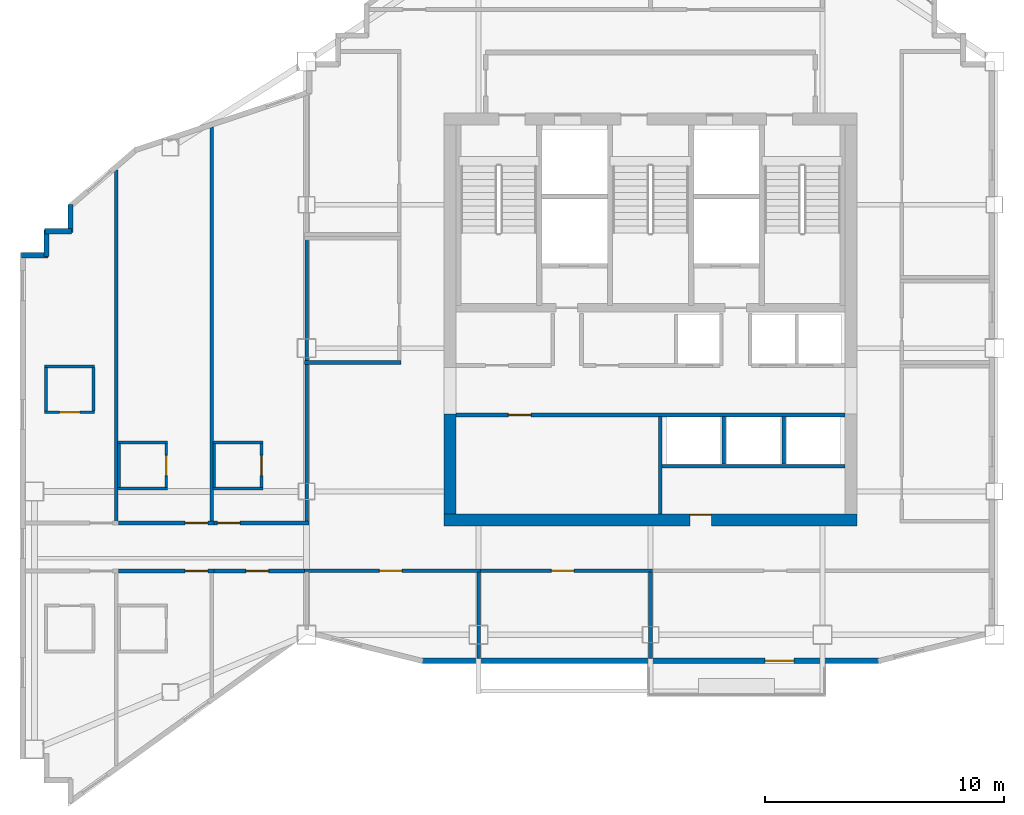
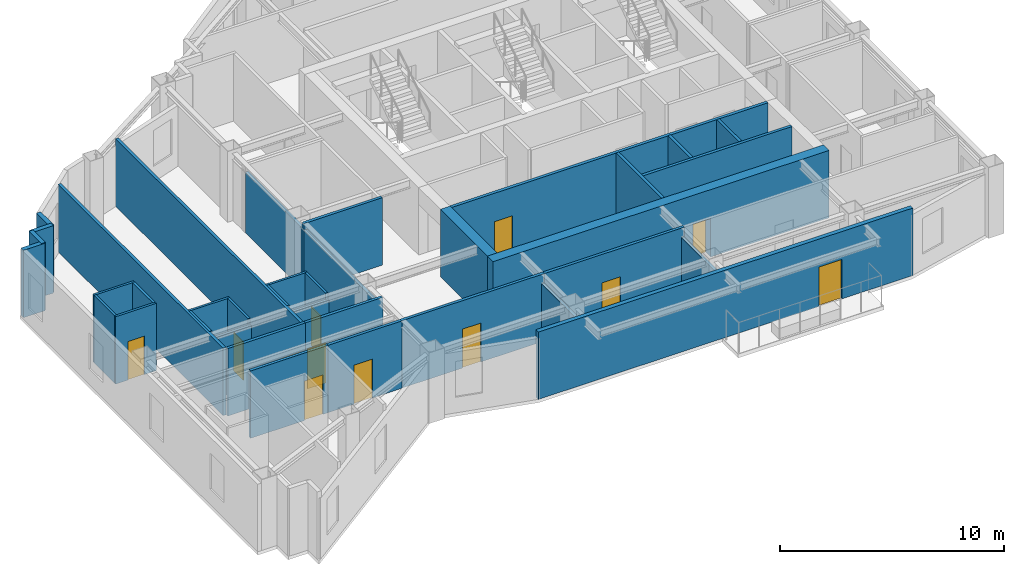
# One storey, part 5 of 9: 37 walls, 12 doors, 12 openings.
"""IFC4 building model written with IfcOpenShell, lengths in metres."""

from ifc_helpers import new_model, si_unit, direction, frame, frame_2d, origin, place, context, subcontext, project, spatial, rectangle, extrude, material, layer, layer_set, type_object, element, fill, save


model = new_model("IFC4")

# Units and contexts
model_context = context("Model", 3, precision=1e-05, world=origin(), true_north=direction((0.0, 1.0)))
body_context = subcontext(model_context, "Body", "Model", "MODEL_VIEW")
ifc_project = project(units=[si_unit("LENGTHUNIT", "METRE"), si_unit("AREAUNIT", "SQUARE_METRE"), si_unit("VOLUMEUNIT", "CUBIC_METRE"), si_unit("PLANEANGLEUNIT", "RADIAN"), si_unit("MASSUNIT", "GRAM", prefix="KILO")], contexts=[model_context])

# Site, building, storey
site_placement = place(None, origin())
site = spatial("IfcSite", under=ifc_project, at=site_placement, CompositionType="ELEMENT")
building_placement = place(site_placement, origin())
building = spatial("IfcBuilding", under=site, at=building_placement, Name="Haolan Belvedere Tower", CompositionType="ELEMENT")
storey_placement = place(building_placement, frame((0.0, 0.0, 269.85009765625)))
storey = spatial("IfcBuildingStorey", under=building, at=storey_placement, Name="L68", CompositionType="ELEMENT", Elevation=269.85009765625)

# Wall, opening, door
ifc_material_1 = material(Name="Concrete C50/60", Category="concrete")
ifc_layer_1 = layer(ifc_material_1, 0.5, Name="Concrete C50/60")
ifc_layer_set_1 = layer_set([ifc_layer_1], Name="Concrete C50/60")
wall_type_1 = type_object("IfcWallType", Name="WL-CORE-500", PredefinedType="SHEAR", material=ifc_layer_set_1)
wall_1_placement = place(storey_placement, frame((29.75, 26.39990234375, 0.0), z_axis=(0.0, 0.0, 1.0), x_axis=(1.0, 0.0, 0.0)))
wall_1 = element("IfcWall", 1, at=wall_1_placement, inside=storey, type_object=wall_type_1, Name="L68 central core south shear wall", PredefinedType="SHEAR", context=body_context, shape_type="SweptSolid", body=[
    extrude(rectangle(XDim=17.300048828125, YDim=0.5, at=frame_2d((8.64990234375, 0.0))), origin(), (0.0, 0.0, 1.0), 3.669921875),
])
opening_1_placement = place(wall_1_placement, frame((11.199951171875, 0.0, 0.0), z_axis=(0.0, 0.0, 1.0), x_axis=(-1.0, 0.0, 0.0)))
opening_1 = element("IfcOpeningElement", 2, at=opening_1_placement, cuts=wall_1, Name="Opening FD-05", PredefinedType="OPENING", context=body_context, shape_type="SweptSolid", body=[
    extrude(rectangle(XDim=0.89990234375, YDim=2.10009765625, at=frame_2d((0.449951171875, 1.050048828125))), frame((0.0, 0.260009765625, 0.0), z_axis=(0.0, -1.0, 0.0), x_axis=(1.0, 0.0, 0.0)), (0.0, 0.0, 1.0), 0.52001953125),
])
ifc_material_2 = material(Name="Galvanised fire-rated steel", Category="steel")
door_type_1 = type_object("IfcDoorType", Name="DR-FD60-900", OperationType="NOTDEFINED", PredefinedType="DOOR", material=ifc_material_2)
door_1_placement = place(opening_1_placement, origin())
door_1 = element("IfcDoor", 3, at=door_1_placement, inside=storey, type_object=door_type_1, Name="L68 door CD-L68-SCVE", OperationType="SINGLE_SWING_RIGHT", OverallHeight=2.10009765625, OverallWidth=0.89990234375, PredefinedType="DOOR", context=body_context, shape_type="SweptSolid", body=[
    extrude(rectangle(XDim=0.89990234375, YDim=2.10009765625, at=frame_2d((0.449951171875, 1.050048828125))), frame((0.0, -0.19482421875, 0.0), z_axis=(0.0, -1.0, 0.0), x_axis=(1.0, 0.0, 0.0)), (0.0, 0.0, 1.0), 0.050048828125),
])
fill(opening_1, door_1)

# Wall
wall_2_placement = place(storey_placement, frame((30.0, 26.64990234375, 0.0), z_axis=(0.0, 0.0, 1.0), x_axis=(0.0, 1.0, 0.0)))
element("IfcWall", 4, at=wall_2_placement, inside=storey, type_object=wall_type_1, Name="L68 central core shear wall WS", PredefinedType="SHEAR", context=body_context, shape_type="SweptSolid", body=[
    extrude(rectangle(XDim=4.2001953125, YDim=0.5, at=frame_2d((2.10009765625, 0.0))), origin(), (0.0, 0.0, 1.0), 3.669921875),
])

# Wall, opening, door
ifc_material_3 = material(Name="Precast concrete C40/50", Category="concrete")
ifc_layer_2 = layer(ifc_material_3, 0.219970703125, Name="Precast concrete C40/50")
ifc_layer_set_2 = layer_set([ifc_layer_2], Name="Precast concrete C40/50")
wall_type_2 = type_object("IfcWallType", Name="WL-EXT-220", PredefinedType="SOLIDWALL", material=ifc_layer_set_2)
wall_3_placement = place(storey_placement, frame((28.758544921875, 20.510009765625, 0.0), z_axis=(0.0, 0.0, 1.0), x_axis=(1.0, 0.0, 0.0)))
wall_3 = element("IfcWall", 5, at=wall_3_placement, inside=storey, type_object=wall_type_2, Name="L68 pale-metal exterior spandrel wall 1.1", PredefinedType="SOLIDWALL", context=body_context, shape_type="SweptSolid", body=[
    extrude(rectangle(XDim=19.282958984375, YDim=0.219970703125, at=frame_2d((9.6416015625, 0.0))), origin(), (0.0, 0.0, 1.0), 3.669921875),
])
opening_2_placement = place(wall_3_placement, frame((15.641357421875, 0.0, 0.0), z_axis=(0.0, 0.0, 1.0), x_axis=(-1.0, 0.0, 0.0)))
opening_2 = element("IfcOpeningElement", 6, at=opening_2_placement, cuts=wall_3, Name="Opening BD-01", PredefinedType="OPENING", context=body_context, shape_type="SweptSolid", body=[
    extrude(rectangle(XDim=1.199951171875, YDim=2.14990234375, at=frame_2d((0.60009765625, 1.074951171875))), frame((0.0, 0.119873046875, 0.0), z_axis=(0.0, -1.0, 0.0), x_axis=(1.0, 0.0, 0.0)), (0.0, 0.0, 1.0), 0.239990234375),
])
ifc_material_4 = material(Name="Thermally broken pale-metal aluminium and Low-E glass", Category="aluminium")
door_type_2 = type_object("IfcDoorType", Name="DR-BAL-1200", OperationType="NOTDEFINED", PredefinedType="DOOR", material=ifc_material_4)
door_2_placement = place(opening_2_placement, origin())
door_2 = element("IfcDoor", 7, at=door_2_placement, inside=storey, type_object=door_type_2, Name="L68 tree-balcony access door 1", OperationType="SINGLE_SWING_RIGHT", OverallHeight=2.14990234375, OverallWidth=1.199951171875, PredefinedType="DOOR", context=body_context, shape_type="SweptSolid", body=[
    extrude(rectangle(XDim=1.199951171875, YDim=2.14990234375, at=frame_2d((0.60009765625, 1.074951171875))), frame((0.0, 0.02490234375, 0.0), z_axis=(0.0, -1.0, 0.0), x_axis=(1.0, 0.0, 0.0)), (0.0, 0.0, 1.0), 0.050048828125),
])
fill(opening_2, door_2)

# Walls
wall_4_placement = place(storey_placement, frame((14.110107421875, 39.6044921875, 0.0), z_axis=(0.0, 0.0, 1.0), x_axis=(0.0, -1.0, 0.0)))
element("IfcWall", 8, at=wall_4_placement, inside=storey, type_object=wall_type_2, Name="L68 pale-metal exterior spandrel wall 19.1", PredefinedType="SOLIDWALL", context=body_context, shape_type="SweptSolid", body=[
    extrude(rectangle(XDim=1.16943359375, YDim=0.219970703125, at=frame_2d((0.584716796875, 0.0))), origin(), (0.0, 0.0, 1.0), 3.669921875),
])
wall_5_placement = place(storey_placement, frame((14.1650390625, 38.489990234375, 0.0), z_axis=(0.0, 0.0, 1.0), x_axis=(-1.0, 0.0, 0.0)))
element("IfcWall", 9, at=wall_5_placement, inside=storey, type_object=wall_type_2, Name="L68 pale-metal exterior spandrel wall 20.1", PredefinedType="SOLIDWALL", context=body_context, shape_type="SweptSolid", body=[
    extrude(rectangle(XDim=1.110107421875, YDim=0.219970703125, at=frame_2d((0.55517578125, 0.0))), origin(), (0.0, 0.0, 1.0), 3.669921875),
])
wall_6_placement = place(storey_placement, frame((13.110107421875, 38.544921875, 0.0), z_axis=(0.0, 0.0, 1.0), x_axis=(0.0, -1.0, 0.0)))
element("IfcWall", 10, at=wall_6_placement, inside=storey, type_object=wall_type_2, Name="L68 pale-metal exterior spandrel wall 21.1", PredefinedType="SOLIDWALL", context=body_context, shape_type="SweptSolid", body=[
    extrude(rectangle(XDim=1.10986328125, YDim=0.219970703125, at=frame_2d((0.554931640625, 0.0))), origin(), (0.0, 0.0, 1.0), 3.669921875),
])
wall_7_placement = place(storey_placement, frame((13.1650390625, 37.489990234375, 0.0), z_axis=(0.0, 0.0, 1.0), x_axis=(-1.0, 0.0, 0.0)))
element("IfcWall", 11, at=wall_7_placement, inside=storey, type_object=wall_type_2, Name="L68 pale-metal exterior spandrel wall 22.1", PredefinedType="SOLIDWALL", context=body_context, shape_type="SweptSolid", body=[
    extrude(rectangle(XDim=1.110107421875, YDim=0.219970703125, at=frame_2d((0.55517578125, 0.0))), origin(), (0.0, 0.0, 1.0), 3.669921875),
])
ifc_material_5 = material(Name="Double gypsum acoustic stud partition", Category="masonry")
ifc_layer_3 = layer(ifc_material_5, 0.14990234375, Name="Double gypsum acoustic stud partition")
ifc_layer_set_3 = layer_set([ifc_layer_3], Name="Double gypsum acoustic stud partition")
wall_type_3 = type_object("IfcWallType", Name="WL-PART-150", PredefinedType="PARTITIONING", material=ifc_layer_set_3)
wall_8_placement = place(storey_placement, frame((38.860107421875, 28.659912109375, 0.0), z_axis=(0.0, 0.0, 1.0), x_axis=(1.0, 0.0, 0.0)))
element("IfcWall", 12, at=wall_8_placement, inside=storey, type_object=wall_type_3, Name="L68 interior partition IW-L68-SSTRIP-E", PredefinedType="PARTITIONING", context=body_context, shape_type="SweptSolid", body=[
    extrude(rectangle(XDim=7.68994140625, YDim=0.14990234375, at=frame_2d((3.844970703125, 0.0))), origin(), (0.0, 0.0, 1.0), 3.669921875),
])
wall_9_placement = place(storey_placement, frame((23.919921875, 33.0, 0.0), z_axis=(0.0, 0.0, 1.0), x_axis=(1.0, 0.0, 0.0)))
element("IfcWall", 13, at=wall_9_placement, inside=storey, type_object=wall_type_3, Name="L68 interior partition IW-L68-HSK-S", PredefinedType="PARTITIONING", context=body_context, shape_type="SweptSolid", body=[
    extrude(rectangle(XDim=4.0400390625, YDim=0.14990234375, at=frame_2d((2.02001953125, 0.0))), origin(), (0.0, 0.0, 1.0), 3.669921875),
])
wall_10_placement = place(storey_placement, frame((24.0, 33.06005859375, 0.0), z_axis=(0.0, 0.0, 1.0), x_axis=(0.0, 1.0, 0.0)))
element("IfcWall", 14, at=wall_10_placement, inside=storey, type_object=wall_type_3, Name="L68 interior partition IW-L68-HSK-W", PredefinedType="PARTITIONING", context=body_context, shape_type="SweptSolid", body=[
    extrude(rectangle(XDim=5.079833984375, YDim=0.14990234375, at=frame_2d((2.5400390625, 0.0))), origin(), (0.0, 0.0, 1.0), 3.31494140625),
])

# Wall, opening, door
wall_11_placement = place(storey_placement, frame((23.919921875, 24.280029296875, 0.0), z_axis=(0.0, 0.0, 1.0), x_axis=(1.0, 0.0, 0.0)))
wall_11 = element("IfcWall", 15, at=wall_11_placement, inside=storey, type_object=wall_type_3, Name="L68 interior partition IW-L68-KS1-N", PredefinedType="PARTITIONING", context=body_context, shape_type="SweptSolid", body=[
    extrude(rectangle(XDim=7.360107421875, YDim=0.14990234375, at=frame_2d((3.68017578125, 0.0))), origin(), (0.0, 0.0, 1.0), 3.669921875),
])
opening_3_placement = place(wall_11_placement, frame((4.074951171875, 0.0, 0.0), z_axis=(0.0, 0.0, 1.0), x_axis=(-1.0, 0.0, 0.0)))
opening_3 = element("IfcOpeningElement", 16, at=opening_3_placement, cuts=wall_11, Name="Opening ID-03", PredefinedType="OPENING", context=body_context, shape_type="SweptSolid", body=[
    extrude(rectangle(XDim=0.949951171875, YDim=2.1201171875, at=frame_2d((0.47509765625, 1.06005859375))), frame((0.0, 0.0849609375, 0.0), z_axis=(0.0, -1.0, 0.0), x_axis=(1.0, 0.0, 0.0)), (0.0, 0.0, 1.0), 0.169921875),
])
ifc_material_6 = material(Name="Painted solid-core timber", Category="wood")
door_type_3 = type_object("IfcDoorType", Name="DR-INT-950", OperationType="NOTDEFINED", PredefinedType="DOOR", material=ifc_material_6)
door_3_placement = place(opening_3_placement, origin())
door_3 = element("IfcDoor", 17, at=door_3_placement, inside=storey, type_object=door_type_3, Name="L68 door ID-L68-KS1", OperationType="SINGLE_SWING_RIGHT", OverallHeight=2.1201171875, OverallWidth=0.949951171875, PredefinedType="DOOR", context=body_context, shape_type="SweptSolid", body=[
    extrude(rectangle(XDim=0.949951171875, YDim=2.1201171875, at=frame_2d((0.47509765625, 1.06005859375))), frame((0.0, 0.02490234375, 0.0), z_axis=(0.0, -1.0, 0.0), x_axis=(1.0, 0.0, 0.0)), (0.0, 0.0, 1.0), 0.050048828125),
])
fill(opening_3, door_3)

# Wall
wall_12_placement = place(storey_placement, frame((31.199951171875, 20.612060546875, 0.0), z_axis=(0.0, 0.0, 1.0), x_axis=(0.0, 1.0, 0.0)))
element("IfcWall", 18, at=wall_12_placement, inside=storey, type_object=wall_type_3, Name="L68 interior partition IW-L68-KS1-E", PredefinedType="PARTITIONING", context=body_context, shape_type="SweptSolid", body=[
    extrude(rectangle(XDim=3.60791015625, YDim=0.14990234375, at=frame_2d((1.803955078125, 0.0))), origin(), (0.0, 0.0, 1.0), 3.15478515625),
])

# Wall, opening, door
wall_13_placement = place(storey_placement, frame((31.281982421875, 24.280029296875, 0.0), z_axis=(0.0, 0.0, 1.0), x_axis=(1.0, 0.0, 0.0)))
wall_13 = element("IfcWall", 19, at=wall_13_placement, inside=storey, type_object=wall_type_3, Name="L68 interior partition IW-L68-KS2-N", PredefinedType="PARTITIONING", context=body_context, shape_type="SweptSolid", body=[
    extrude(rectangle(XDim=7.197998046875, YDim=0.14990234375, at=frame_2d((3.59912109375, 0.0))), origin(), (0.0, 0.0, 1.0), 3.669921875),
])
opening_4_placement = place(wall_13_placement, frame((3.912841796875, 0.0, 0.0), z_axis=(0.0, 0.0, 1.0), x_axis=(-1.0, 0.0, 0.0)))
opening_4 = element("IfcOpeningElement", 20, at=opening_4_placement, cuts=wall_13, Name="Opening ID-03", PredefinedType="OPENING", context=body_context, shape_type="SweptSolid", body=[
    extrude(rectangle(XDim=0.949951171875, YDim=2.1201171875, at=frame_2d((0.47509765625, 1.06005859375))), frame((0.0, 0.0849609375, 0.0), z_axis=(0.0, -1.0, 0.0), x_axis=(1.0, 0.0, 0.0)), (0.0, 0.0, 1.0), 0.169921875),
])
door_4_placement = place(opening_4_placement, origin())
door_4 = element("IfcDoor", 21, at=door_4_placement, inside=storey, type_object=door_type_3, Name="L68 door ID-L68-KS2", OperationType="SINGLE_SWING_LEFT", OverallHeight=2.1201171875, OverallWidth=0.949951171875, PredefinedType="DOOR", context=body_context, shape_type="SweptSolid", body=[
    extrude(rectangle(XDim=0.949951171875, YDim=2.1201171875, at=frame_2d((0.47509765625, 1.06005859375))), frame((0.0, 0.02490234375, 0.0), z_axis=(0.0, -1.0, 0.0), x_axis=(1.0, 0.0, 0.0)), (0.0, 0.0, 1.0), 0.050048828125),
])
fill(opening_4, door_4)

# Walls
wall_14_placement = place(storey_placement, frame((38.39990234375, 20.612060546875, 0.0), z_axis=(0.0, 0.0, 1.0), x_axis=(0.0, 1.0, 0.0)))
element("IfcWall", 22, at=wall_14_placement, inside=storey, type_object=wall_type_3, Name="L68 interior partition IW-L68-KS2-E", PredefinedType="PARTITIONING", context=body_context, shape_type="SweptSolid", body=[
    extrude(rectangle(XDim=3.60791015625, YDim=0.14990234375, at=frame_2d((1.803955078125, 0.0))), origin(), (0.0, 0.0, 1.0), 3.15478515625),
])
wall_15_placement = place(storey_placement, frame((16.030029296875, 26.340087890625, 0.0), z_axis=(0.0, 0.0, 1.0), x_axis=(0.0, 1.0, 0.0)))
element("IfcWall", 23, at=wall_15_placement, inside=storey, type_object=wall_type_3, Name="L68 interior partition IW-L68-T2N1-E", PredefinedType="PARTITIONING", context=body_context, shape_type="SweptSolid", body=[
    extrude(rectangle(XDim=14.720703125, YDim=0.14990234375, at=frame_2d((7.3603515625, 0.0))), origin(), (0.0, 0.0, 1.0), 3.669921875),
])

# Wall, opening, door
wall_16_placement = place(storey_placement, frame((16.132080078125, 26.280029296875, 0.0), z_axis=(0.0, 0.0, 1.0), x_axis=(1.0, 0.0, 0.0)))
wall_16 = element("IfcWall", 24, at=wall_16_placement, inside=storey, type_object=wall_type_3, Name="L68 interior partition IW-L68-T2N2-S", PredefinedType="PARTITIONING", context=body_context, shape_type="SweptSolid", body=[
    extrude(rectangle(XDim=3.988037109375, YDim=0.14990234375, at=frame_2d((1.994140625, 0.0))), origin(), (0.0, 0.0, 1.0), 3.669921875),
])
opening_5_placement = place(wall_16_placement, frame((2.781005859375, 0.0, 0.0)))
opening_5 = element("IfcOpeningElement", 25, at=opening_5_placement, cuts=wall_16, Name="Opening ID-01", PredefinedType="OPENING", context=body_context, shape_type="SweptSolid", body=[
    extrude(rectangle(XDim=0.949951171875, YDim=2.179931640625, at=frame_2d((0.47509765625, 1.08984375))), frame((0.0, 0.0849609375, 0.0), z_axis=(0.0, -1.0, 0.0), x_axis=(1.0, 0.0, 0.0)), (0.0, 0.0, 1.0), 0.169921875),
])
ifc_material_7 = material(Name="Acoustic walnut veneer fire-rated timber", Category="wood")
door_type_4 = type_object("IfcDoorType", Name="DR-SUITE-950", OperationType="NOTDEFINED", PredefinedType="DOOR", material=ifc_material_7)
door_5_placement = place(opening_5_placement, origin())
door_5 = element("IfcDoor", 26, at=door_5_placement, inside=storey, type_object=door_type_4, Name="L68 door ID-L68-T2N2-ENT", OperationType="SINGLE_SWING_LEFT", OverallHeight=2.179931640625, OverallWidth=0.949951171875, PredefinedType="DOOR", context=body_context, shape_type="SweptSolid", body=[
    extrude(rectangle(XDim=0.949951171875, YDim=2.179931640625, at=frame_2d((0.47509765625, 1.08984375))), frame((0.0, 0.02490234375, 0.0), z_axis=(0.0, -1.0, 0.0), x_axis=(1.0, 0.0, 0.0)), (0.0, 0.0, 1.0), 0.050048828125),
])
fill(opening_5, door_5)

# Wall
wall_17_placement = place(storey_placement, frame((20.02001953125, 26.340087890625, 0.0), z_axis=(0.0, 0.0, 1.0), x_axis=(0.0, 1.0, 0.0)))
element("IfcWall", 27, at=wall_17_placement, inside=storey, type_object=wall_type_3, Name="L68 interior partition IW-L68-T2N2-E", PredefinedType="PARTITIONING", context=body_context, shape_type="SweptSolid", body=[
    extrude(rectangle(XDim=16.509765625, YDim=0.14990234375, at=frame_2d((8.2548828125, 0.0))), origin(), (0.0, 0.0, 1.0), 3.669921875),
])

# Wall, opening, door
wall_18_placement = place(storey_placement, frame((20.1220703125, 26.280029296875, 0.0), z_axis=(0.0, 0.0, 1.0), x_axis=(1.0, 0.0, 0.0)))
wall_18 = element("IfcWall", 28, at=wall_18_placement, inside=storey, type_object=wall_type_3, Name="L68 interior partition IW-L68-T2N3-S", PredefinedType="PARTITIONING", context=body_context, shape_type="SweptSolid", body=[
    extrude(rectangle(XDim=3.97802734375, YDim=0.14990234375, at=frame_2d((1.989013671875, 0.0))), origin(), (0.0, 0.0, 1.0), 3.669921875),
])
opening_6_placement = place(wall_18_placement, frame((0.139892578125, 0.0, 0.0)))
opening_6 = element("IfcOpeningElement", 29, at=opening_6_placement, cuts=wall_18, Name="Opening ID-01", PredefinedType="OPENING", context=body_context, shape_type="SweptSolid", body=[
    extrude(rectangle(XDim=0.949951171875, YDim=2.179931640625, at=frame_2d((0.47509765625, 1.08984375))), frame((0.0, 0.0849609375, 0.0), z_axis=(0.0, -1.0, 0.0), x_axis=(1.0, 0.0, 0.0)), (0.0, 0.0, 1.0), 0.169921875),
])
door_6_placement = place(opening_6_placement, origin())
door_6 = element("IfcDoor", 30, at=door_6_placement, inside=storey, type_object=door_type_4, Name="L68 door ID-L68-T2N3-ENT", OperationType="SINGLE_SWING_RIGHT", OverallHeight=2.179931640625, OverallWidth=0.949951171875, PredefinedType="DOOR", context=body_context, shape_type="SweptSolid", body=[
    extrude(rectangle(XDim=0.949951171875, YDim=2.179931640625, at=frame_2d((0.47509765625, 1.08984375))), frame((0.0, 0.02490234375, 0.0), z_axis=(0.0, -1.0, 0.0), x_axis=(1.0, 0.0, 0.0)), (0.0, 0.0, 1.0), 0.050048828125),
])
fill(opening_6, door_6)

# Wall
wall_19_placement = place(storey_placement, frame((24.0, 26.340087890625, 0.0), z_axis=(0.0, 0.0, 1.0), x_axis=(0.0, 1.0, 0.0)))
element("IfcWall", 31, at=wall_19_placement, inside=storey, type_object=wall_type_3, Name="L68 interior partition IW-L68-T2N3-E", PredefinedType="PARTITIONING", context=body_context, shape_type="SweptSolid", body=[
    extrude(rectangle(XDim=6.599853515625, YDim=0.14990234375, at=frame_2d((3.2998046875, 0.0))), origin(), (0.0, 0.0, 1.0), 3.31494140625),
])

# Wall, opening, door
wall_20_placement = place(storey_placement, frame((16.132080078125, 24.27001953125, 0.0), z_axis=(0.0, 0.0, 1.0), x_axis=(1.0, 0.0, 0.0)))
wall_20 = element("IfcWall", 32, at=wall_20_placement, inside=storey, type_object=wall_type_3, Name="L68 interior partition IW-L68-T2S2-N", PredefinedType="PARTITIONING", context=body_context, shape_type="SweptSolid", body=[
    extrude(rectangle(XDim=3.988037109375, YDim=0.14990234375, at=frame_2d((1.994140625, 0.0))), origin(), (0.0, 0.0, 1.0), 3.669921875),
])
opening_7_placement = place(wall_20_placement, frame((3.73095703125, 0.0, 0.0), z_axis=(0.0, 0.0, 1.0), x_axis=(-1.0, 0.0, 0.0)))
opening_7 = element("IfcOpeningElement", 33, at=opening_7_placement, cuts=wall_20, Name="Opening ID-02", PredefinedType="OPENING", context=body_context, shape_type="SweptSolid", body=[
    extrude(rectangle(XDim=0.949951171875, YDim=2.14990234375, at=frame_2d((0.47509765625, 1.074951171875))), frame((0.0, 0.0849609375, 0.0), z_axis=(0.0, -1.0, 0.0), x_axis=(1.0, 0.0, 0.0)), (0.0, 0.0, 1.0), 0.169921875),
])
ifc_material_8 = material(Name="Acoustic oak veneer fire-rated timber", Category="wood")
door_type_5 = type_object("IfcDoorType", Name="DR-GUEST-950", OperationType="NOTDEFINED", PredefinedType="DOOR", material=ifc_material_8)
door_7_placement = place(opening_7_placement, origin())
door_7 = element("IfcDoor", 34, at=door_7_placement, inside=storey, type_object=door_type_5, Name="L68 door ID-L68-T2S2-ENT", OperationType="SINGLE_SWING_RIGHT", OverallHeight=2.14990234375, OverallWidth=0.949951171875, PredefinedType="DOOR", context=body_context, shape_type="SweptSolid", body=[
    extrude(rectangle(XDim=0.949951171875, YDim=2.14990234375, at=frame_2d((0.47509765625, 1.074951171875))), frame((0.0, 0.02490234375, 0.0), z_axis=(0.0, -1.0, 0.0), x_axis=(1.0, 0.0, 0.0)), (0.0, 0.0, 1.0), 0.050048828125),
])
fill(opening_7, door_7)

wall_21_placement = place(storey_placement, frame((20.1220703125, 24.27001953125, 0.0), z_axis=(0.0, 0.0, 1.0), x_axis=(1.0, 0.0, 0.0)))
wall_21 = element("IfcWall", 35, at=wall_21_placement, inside=storey, type_object=wall_type_3, Name="L68 interior partition IW-L68-T2S3-N", PredefinedType="PARTITIONING", context=body_context, shape_type="SweptSolid", body=[
    extrude(rectangle(XDim=3.7958984375, YDim=0.14990234375, at=frame_2d((1.89794921875, 0.0))), origin(), (0.0, 0.0, 1.0), 3.669921875),
])
opening_8_placement = place(wall_21_placement, frame((2.282958984375, 0.0, 0.0), z_axis=(0.0, 0.0, 1.0), x_axis=(-1.0, 0.0, 0.0)))
opening_8 = element("IfcOpeningElement", 36, at=opening_8_placement, cuts=wall_21, Name="Opening ID-03", PredefinedType="OPENING", context=body_context, shape_type="SweptSolid", body=[
    extrude(rectangle(XDim=0.949951171875, YDim=2.1201171875, at=frame_2d((0.47509765625, 1.06005859375))), frame((0.0, 0.0849609375, 0.0), z_axis=(0.0, -1.0, 0.0), x_axis=(1.0, 0.0, 0.0)), (0.0, 0.0, 1.0), 0.169921875),
])
door_8_placement = place(opening_8_placement, origin())
door_8 = element("IfcDoor", 37, at=door_8_placement, inside=storey, type_object=door_type_3, Name="L68 door ID-L68-T2S3", OperationType="SINGLE_SWING_LEFT", OverallHeight=2.1201171875, OverallWidth=0.949951171875, PredefinedType="DOOR", context=body_context, shape_type="SweptSolid", body=[
    extrude(rectangle(XDim=0.949951171875, YDim=2.1201171875, at=frame_2d((0.47509765625, 1.06005859375))), frame((0.0, 0.02490234375, 0.0), z_axis=(0.0, -1.0, 0.0), x_axis=(1.0, 0.0, 0.0)), (0.0, 0.0, 1.0), 0.050048828125),
])
fill(opening_8, door_8)

ifc_material_9 = material(Name="Gypsum fire shaftwall assembly", Category="masonry")
ifc_layer_4 = layer(ifc_material_9, 0.1650390625, Name="Gypsum fire shaftwall assembly")
ifc_layer_set_4 = layer_set([ifc_layer_4], Name="Gypsum fire shaftwall assembly")
wall_type_4 = type_object("IfcWallType", Name="WL-SHAFT-160", PredefinedType="SOLIDWALL", material=ifc_layer_set_4)
wall_22_placement = place(storey_placement, frame((30.25, 30.800048828125, 0.0), z_axis=(0.0, 0.0, 1.0), x_axis=(1.0, 0.0, 0.0)))
wall_22 = element("IfcWall", 38, at=wall_22_placement, inside=storey, type_object=wall_type_4, Name="L68 interior partition IW-L68-ROW-PS", PredefinedType="SOLIDWALL", context=body_context, shape_type="SweptSolid", body=[
    extrude(rectangle(XDim=16.300048828125, YDim=0.159912109375, at=frame_2d((8.14990234375, 0.0))), origin(), (0.0, 0.0, 1.0), 3.669921875),
])
opening_9_placement = place(wall_22_placement, frame((2.199951171875, 0.0, 0.0)))
opening_9 = element("IfcOpeningElement", 39, at=opening_9_placement, cuts=wall_22, Name="Opening ID-03", PredefinedType="OPENING", context=body_context, shape_type="SweptSolid", body=[
    extrude(rectangle(XDim=0.949951171875, YDim=2.1201171875, at=frame_2d((0.47509765625, 1.06005859375))), frame((0.0, 0.08984375, 0.0), z_axis=(0.0, -1.0, 0.0), x_axis=(1.0, 0.0, 0.0)), (0.0, 0.0, 1.0), 0.179931640625),
])
door_9_placement = place(opening_9_placement, origin())
door_9 = element("IfcDoor", 40, at=door_9_placement, inside=storey, type_object=door_type_3, Name="L68 door ID-L68-CD-RPMA", OperationType="SINGLE_SWING_LEFT", OverallHeight=2.1201171875, OverallWidth=0.949951171875, PredefinedType="DOOR", context=body_context, shape_type="SweptSolid", body=[
    extrude(rectangle(XDim=0.949951171875, YDim=2.1201171875, at=frame_2d((0.47509765625, 1.06005859375))), frame((0.0, 0.02490234375, 0.0), z_axis=(0.0, -1.0, 0.0), x_axis=(1.0, 0.0, 0.0)), (0.0, 0.0, 1.0), 0.050048828125),
])
fill(opening_9, door_9)

# Walls
wall_23_placement = place(storey_placement, frame((38.800048828125, 26.659912109375, 0.0), z_axis=(0.0, 0.0, 1.0), x_axis=(0.0, 1.0, 0.0)))
element("IfcWall", 41, at=wall_23_placement, inside=storey, type_object=wall_type_4, Name="L68 interior partition IW-L68-DIV-PM-OB", PredefinedType="SOLIDWALL", context=body_context, shape_type="SweptSolid", body=[
    extrude(rectangle(XDim=4.0751953125, YDim=0.14990234375, at=frame_2d((2.03759765625, 0.0))), origin(), (0.0, 0.0, 1.0), 3.669921875),
])
for number, where, z_axis, x_axis, name in (
    (42, (41.469970703125, 28.75, 0.0), (0.0, 0.0, 1.0), (0.0, 1.0, 0.0), "L68 interior partition IW-L68-DIV-OB1"),
    (43, (43.97998046875, 28.75, 0.0), (0.0, 0.0, 1.0), (0.0, 1.0, 0.0), "L68 interior partition IW-L68-DIV-OB2"),
):
    element("IfcWall", number, at=place(storey_placement, frame(where, z_axis=z_axis, x_axis=x_axis)), inside=storey, type_object=wall_type_4, Name=name, PredefinedType="SOLIDWALL", context=body_context, shape_type="SweptSolid", body=[
        extrude(rectangle(XDim=1.985107421875, YDim=0.14990234375, at=frame_2d((0.99267578125, 0.0))), origin(), (0.0, 0.0, 1.0), 3.669921875),
    ])
ifc_material_10 = material(Name="Moisture-resistant gypsum tile partition", Category="masonry")
ifc_layer_5 = layer(ifc_material_10, 0.1201171875, Name="Moisture-resistant gypsum tile partition")
ifc_layer_set_5 = layer_set([ifc_layer_5], Name="Moisture-resistant gypsum tile partition")
wall_type_5 = type_object("IfcWallType", Name="WL-WET-120", PredefinedType="PARTITIONING", material=ifc_layer_set_5)
wall_24_placement = place(storey_placement, frame((13.030029296875, 32.8349609375, 0.0), z_axis=(0.0, 0.0, 1.0), x_axis=(1.0, 0.0, 0.0)))
element("IfcWall", 44, at=wall_24_placement, inside=storey, type_object=wall_type_5, Name="L68 interior partition IW-L68-T2N1-BN", PredefinedType="PARTITIONING", context=body_context, shape_type="SweptSolid", body=[
    extrude(rectangle(XDim=2.099853515625, YDim=0.1201171875, at=frame_2d((1.0498046875, 0.0))), origin(), (0.0, 0.0, 1.0), 3.669921875),
])

# Wall, opening, door
wall_25_placement = place(storey_placement, frame((13.030029296875, 30.9150390625, 0.0), z_axis=(0.0, 0.0, 1.0), x_axis=(1.0, 0.0, 0.0)))
wall_25 = element("IfcWall", 45, at=wall_25_placement, inside=storey, type_object=wall_type_5, Name="L68 interior partition IW-L68-T2N1-BS", PredefinedType="PARTITIONING", context=body_context, shape_type="SweptSolid", body=[
    extrude(rectangle(XDim=2.099853515625, YDim=0.1201171875, at=frame_2d((1.0498046875, 0.0))), origin(), (0.0, 0.0, 1.0), 3.669921875),
])
opening_10_placement = place(wall_25_placement, frame((0.625, 0.0, 0.0)))
opening_10 = element("IfcOpeningElement", 46, at=opening_10_placement, cuts=wall_25, Name="Opening ID-05", PredefinedType="OPENING", context=body_context, shape_type="SweptSolid", body=[
    extrude(rectangle(XDim=0.85009765625, YDim=2.10009765625, at=frame_2d((0.425048828125, 1.050048828125))), frame((0.0, 0.070068359375, 0.0), z_axis=(0.0, -1.0, 0.0), x_axis=(1.0, 0.0, 0.0)), (0.0, 0.0, 1.0), 0.14013671875),
])
ifc_material_11 = material(Name="Moisture-resistant lacquered timber", Category="wood")
door_type_6 = type_object("IfcDoorType", Name="DR-BATH-850", OperationType="NOTDEFINED", PredefinedType="DOOR", material=ifc_material_11)
door_10_placement = place(opening_10_placement, origin())
door_10 = element("IfcDoor", 47, at=door_10_placement, inside=storey, type_object=door_type_6, Name="L68 door ID-L68-T2N1-BATH", OperationType="SINGLE_SWING_LEFT", OverallHeight=2.10009765625, OverallWidth=0.85009765625, PredefinedType="DOOR", context=body_context, shape_type="SweptSolid", body=[
    extrude(rectangle(XDim=0.85009765625, YDim=2.10009765625, at=frame_2d((0.425048828125, 1.050048828125))), frame((0.0, 0.02490234375, 0.0), z_axis=(0.0, -1.0, 0.0), x_axis=(1.0, 0.0, 0.0)), (0.0, 0.0, 1.0), 0.050048828125),
])
fill(opening_10, door_10)

# Walls
for number, where, z_axis, x_axis, name in (
    (48, (13.090087890625, 30.9599609375, 0.0), (0.0, 0.0, 1.0), (0.0, 1.0, 0.0), "L68 interior partition IW-L68-T2N1-BW"),
    (49, (15.070068359375, 30.9599609375, 0.0), (0.0, 0.0, 1.0), (0.0, 1.0, 0.0), "L68 interior partition IW-L68-T2N1-BE"),
):
    element("IfcWall", number, at=place(storey_placement, frame(where, z_axis=z_axis, x_axis=x_axis)), inside=storey, type_object=wall_type_5, Name=name, PredefinedType="PARTITIONING", context=body_context, shape_type="SweptSolid", body=[
        extrude(rectangle(XDim=1.830078125, YDim=0.1201171875, at=frame_2d((0.9150390625, 0.0))), origin(), (0.0, 0.0, 1.0), 3.669921875),
    ])
wall_26_placement = place(storey_placement, frame((16.090087890625, 29.64990234375, 0.0), z_axis=(0.0, 0.0, 1.0), x_axis=(1.0, 0.0, 0.0)))
element("IfcWall", 50, at=wall_26_placement, inside=storey, type_object=wall_type_5, Name="L68 interior partition IW-L68-T2N2-BN", PredefinedType="PARTITIONING", context=body_context, shape_type="SweptSolid", body=[
    extrude(rectangle(XDim=2.09130859375, YDim=0.1201171875, at=frame_2d((1.045654296875, 0.0))), origin(), (0.0, 0.0, 1.0), 3.669921875),
])
wall_27_placement = place(storey_placement, frame((16.090087890625, 27.72998046875, 0.0), z_axis=(0.0, 0.0, 1.0), x_axis=(1.0, 0.0, 0.0)))
element("IfcWall", 51, at=wall_27_placement, inside=storey, type_object=wall_type_5, Name="L68 interior partition IW-L68-T2N2-BS", PredefinedType="PARTITIONING", context=body_context, shape_type="SweptSolid", body=[
    extrude(rectangle(XDim=2.09130859375, YDim=0.1201171875, at=frame_2d((1.045654296875, 0.0))), origin(), (0.0, 0.0, 1.0), 3.31494140625),
])
wall_28_placement = place(storey_placement, frame((16.141357421875, 27.77490234375, 0.0), z_axis=(0.0, 0.0, 1.0), x_axis=(0.0, 1.0, 0.0)))
element("IfcWall", 52, at=wall_28_placement, inside=storey, type_object=wall_type_5, Name="L68 interior partition IW-L68-T2N2-BW", PredefinedType="PARTITIONING", context=body_context, shape_type="SweptSolid", body=[
    extrude(rectangle(XDim=1.830078125, YDim=0.1201171875, at=frame_2d((0.9150390625, 0.0))), origin(), (0.0, 0.0, 1.0), 3.669921875),
])

# Wall, opening, door
wall_29_placement = place(storey_placement, frame((18.121337890625, 27.77490234375, 0.0), z_axis=(0.0, 0.0, 1.0), x_axis=(0.0, 1.0, 0.0)))
wall_29 = element("IfcWall", 53, at=wall_29_placement, inside=storey, type_object=wall_type_5, Name="L68 interior partition IW-L68-T2N2-BE", PredefinedType="PARTITIONING", context=body_context, shape_type="SweptSolid", body=[
    extrude(rectangle(XDim=1.830078125, YDim=0.1201171875, at=frame_2d((0.9150390625, 0.0))), origin(), (0.0, 0.0, 1.0), 3.669921875),
])
opening_11_placement = place(wall_29_placement, frame((0.489990234375, 0.0, 0.0)))
opening_11 = element("IfcOpeningElement", 54, at=opening_11_placement, cuts=wall_29, Name="Opening ID-05", PredefinedType="OPENING", context=body_context, shape_type="SweptSolid", body=[
    extrude(rectangle(XDim=0.85009765625, YDim=2.10009765625, at=frame_2d((0.425048828125, 1.050048828125))), frame((0.0, 0.070068359375, 0.0), z_axis=(0.0, -1.0, 0.0), x_axis=(1.0, 0.0, 0.0)), (0.0, 0.0, 1.0), 0.14013671875),
])
door_11_placement = place(opening_11_placement, origin())
door_11 = element("IfcDoor", 55, at=door_11_placement, inside=storey, type_object=door_type_6, Name="L68 door ID-L68-T2N2-BATH", OperationType="SINGLE_SWING_RIGHT", OverallHeight=2.10009765625, OverallWidth=0.85009765625, PredefinedType="DOOR", context=body_context, shape_type="SweptSolid", body=[
    extrude(rectangle(XDim=0.85009765625, YDim=2.10009765625, at=frame_2d((0.425048828125, 1.050048828125))), frame((0.0, 0.02490234375, 0.0), z_axis=(0.0, -1.0, 0.0), x_axis=(1.0, 0.0, 0.0)), (0.0, 0.0, 1.0), 0.050048828125),
])
fill(opening_11, door_11)

# Walls
wall_30_placement = place(storey_placement, frame((20.080078125, 29.64990234375, 0.0), z_axis=(0.0, 0.0, 1.0), x_axis=(1.0, 0.0, 0.0)))
element("IfcWall", 56, at=wall_30_placement, inside=storey, type_object=wall_type_5, Name="L68 interior partition IW-L68-T2N3-BN", PredefinedType="PARTITIONING", context=body_context, shape_type="SweptSolid", body=[
    extrude(rectangle(XDim=2.09423828125, YDim=0.1201171875, at=frame_2d((1.047119140625, 0.0))), origin(), (0.0, 0.0, 1.0), 3.669921875),
])
wall_31_placement = place(storey_placement, frame((20.080078125, 27.72998046875, 0.0), z_axis=(0.0, 0.0, 1.0), x_axis=(1.0, 0.0, 0.0)))
element("IfcWall", 57, at=wall_31_placement, inside=storey, type_object=wall_type_5, Name="L68 interior partition IW-L68-T2N3-BS", PredefinedType="PARTITIONING", context=body_context, shape_type="SweptSolid", body=[
    extrude(rectangle(XDim=2.09423828125, YDim=0.1201171875, at=frame_2d((1.047119140625, 0.0))), origin(), (0.0, 0.0, 1.0), 3.31494140625),
])
wall_32_placement = place(storey_placement, frame((20.13427734375, 27.77490234375, 0.0), z_axis=(0.0, 0.0, 1.0), x_axis=(0.0, 1.0, 0.0)))
element("IfcWall", 58, at=wall_32_placement, inside=storey, type_object=wall_type_5, Name="L68 interior partition IW-L68-T2N3-BW", PredefinedType="PARTITIONING", context=body_context, shape_type="SweptSolid", body=[
    extrude(rectangle(XDim=1.830078125, YDim=0.1201171875, at=frame_2d((0.9150390625, 0.0))), origin(), (0.0, 0.0, 1.0), 3.669921875),
])

# Wall, opening, door
wall_33_placement = place(storey_placement, frame((22.1142578125, 27.77490234375, 0.0), z_axis=(0.0, 0.0, 1.0), x_axis=(0.0, 1.0, 0.0)))
wall_33 = element("IfcWall", 59, at=wall_33_placement, inside=storey, type_object=wall_type_5, Name="L68 interior partition IW-L68-T2N3-BE", PredefinedType="PARTITIONING", context=body_context, shape_type="SweptSolid", body=[
    extrude(rectangle(XDim=1.830078125, YDim=0.1201171875, at=frame_2d((0.9150390625, 0.0))), origin(), (0.0, 0.0, 1.0), 3.669921875),
])
opening_12_placement = place(wall_33_placement, frame((0.489990234375, 0.0, 0.0)))
opening_12 = element("IfcOpeningElement", 60, at=opening_12_placement, cuts=wall_33, Name="Opening ID-05", PredefinedType="OPENING", context=body_context, shape_type="SweptSolid", body=[
    extrude(rectangle(XDim=0.85009765625, YDim=2.10009765625, at=frame_2d((0.425048828125, 1.050048828125))), frame((0.0, 0.070068359375, 0.0), z_axis=(0.0, -1.0, 0.0), x_axis=(1.0, 0.0, 0.0)), (0.0, 0.0, 1.0), 0.14013671875),
])
door_12_placement = place(opening_12_placement, origin())
door_12 = element("IfcDoor", 61, at=door_12_placement, inside=storey, type_object=door_type_6, Name="L68 door ID-L68-T2N3-BATH", OperationType="SINGLE_SWING_LEFT", OverallHeight=2.10009765625, OverallWidth=0.85009765625, PredefinedType="DOOR", context=body_context, shape_type="SweptSolid", body=[
    extrude(rectangle(XDim=0.85009765625, YDim=2.10009765625, at=frame_2d((0.425048828125, 1.050048828125))), frame((0.0, 0.02490234375, 0.0), z_axis=(0.0, -1.0, 0.0), x_axis=(1.0, 0.0, 0.0)), (0.0, 0.0, 1.0), 0.050048828125),
])
fill(opening_12, door_12)

save(model, "model.ifc")
